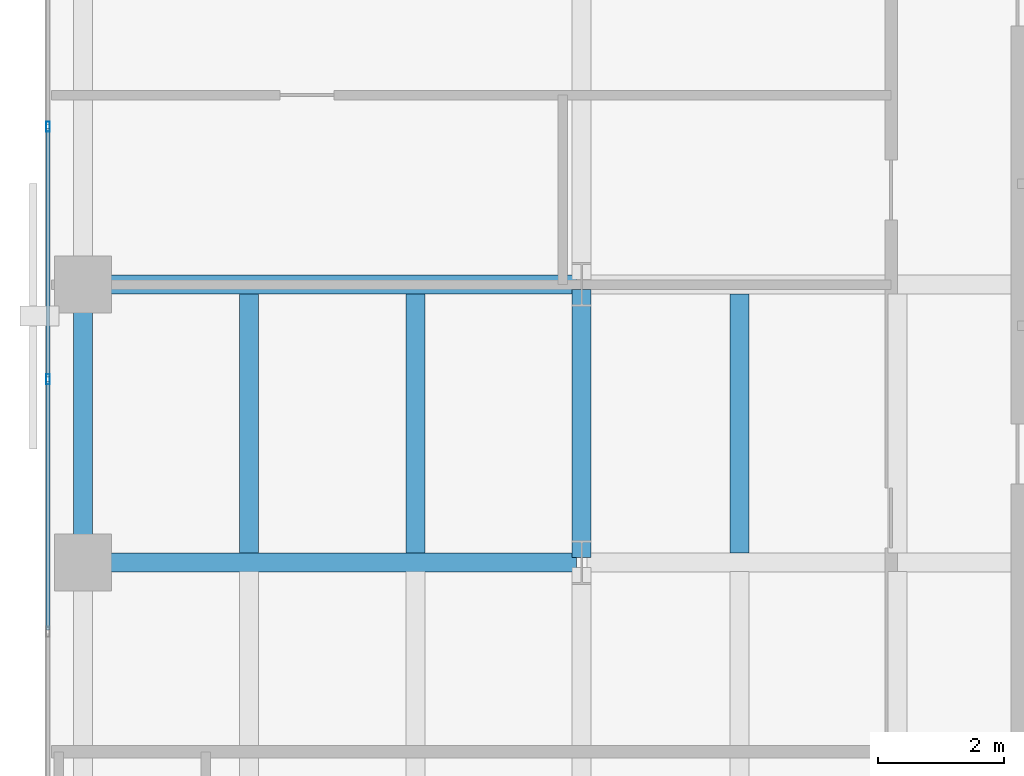
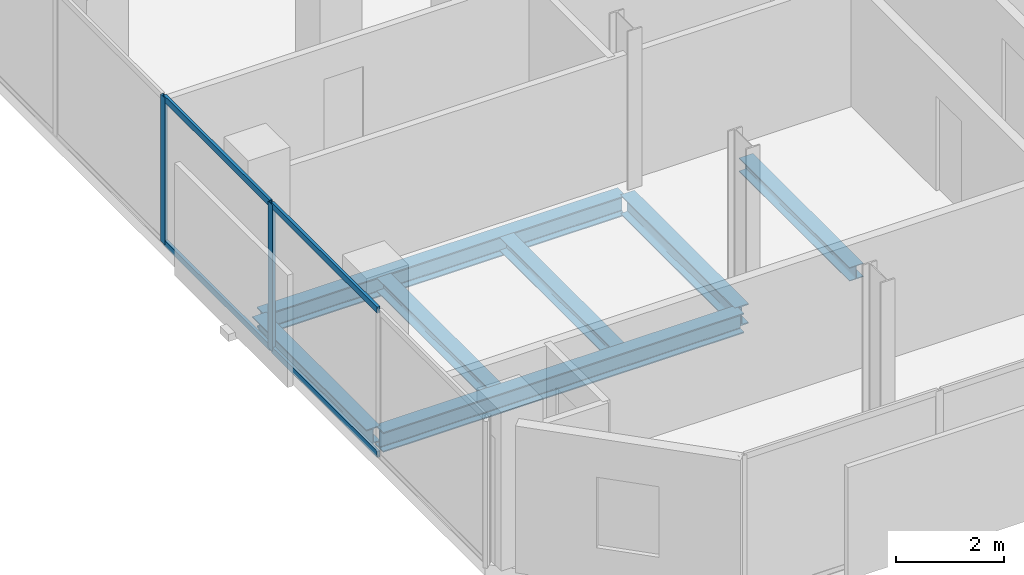
# One storey, part 5 of 33: 7 beams, 6 members, 1 element without a shape of its own.
"""IFC4 building model written with IfcOpenShell, lengths in metres."""

from ifc_helpers import new_model, si_unit, direction, frame, origin, origin_2d, place, context, subcontext, project, spatial, hollow_rectangle, i_section, extrude, material, layer, layer_set, material_profile, profile_set, type_object, element, aggregate, save


model = new_model("IFC4")

# Units and contexts
model_context = context("Model", 3, precision=1e-05, world=origin(), true_north=direction((0.0, 1.0)))
body_context = subcontext(model_context, "Body", "Model", "MODEL_VIEW")
ifc_project = project(units=[si_unit("LENGTHUNIT", "METRE"), si_unit("AREAUNIT", "SQUARE_METRE"), si_unit("VOLUMEUNIT", "CUBIC_METRE"), si_unit("PLANEANGLEUNIT", "RADIAN"), si_unit("MASSUNIT", "GRAM", prefix="KILO")], contexts=[model_context])

# Site, building, storey
site_placement = place(None, origin())
site = spatial("IfcSite", under=ifc_project, at=site_placement, CompositionType="ELEMENT")
building_placement = place(site_placement, origin())
building = spatial("IfcBuilding", under=site, at=building_placement, Name="Catumbela Crestline Tower", CompositionType="ELEMENT")
storey_placement = place(building_placement, frame((0.0, 0.0, 104.4)))
storey = spatial("IfcBuildingStorey", under=building, at=storey_placement, Name="L26", CompositionType="ELEMENT", Elevation=104.4)

# Beams
ifc_material_1 = material(Name="Structural steel S355J2", Category="steel")
ifc_material_profile_1 = material_profile(ifc_material_1, i_section(OverallWidth=0.3, OverallDepth=0.45, WebThickness=0.014, FlangeThickness=0.026, FilletRadius=0.027, at=origin_2d()), Name="HEB 450")
ifc_profile_set_1 = profile_set([ifc_material_profile_1], Name="Structural steel S355J2")
beam_type_1 = type_object("IfcBeamType", Name="BG-HEB450", PredefinedType="BEAM", material=ifc_profile_set_1)
for number, where, z_axis, x_axis, name in (
    (1, (0.68, 13.6, -0.485), (1.0, 0.0, 0.0), (0.0, 1.0, 0.0), "L26 Beam BM-L26-WEW46"),
    (2, (0.68, 18.0, -0.485), (1.0, 0.0, 0.0), (0.0, 1.0, 0.0), "L26 Beam BM-L26-WEW49"),
):
    element("IfcBeam", number, at=place(storey_placement, frame(where, z_axis=z_axis, x_axis=x_axis)), inside=storey, type_object=beam_type_1, Name=name, PredefinedType="BEAM", context=body_context, shape_type="SweptSolid", body=[
        extrude(i_section(OverallWidth=0.3, OverallDepth=0.45, WebThickness=0.014, FlangeThickness=0.026, FilletRadius=0.027, at=origin_2d()), origin(), (0.0, 0.0, 1.0), 7.74),
    ])
beam_1_placement = place(storey_placement, frame((8.5, 13.68, -0.485), z_axis=(0.0, 1.0, 0.0), x_axis=(-1.0, 0.0, 0.0)))
element("IfcBeam", 3, at=beam_1_placement, inside=storey, type_object=beam_type_1, Name="L26 Beam BM-L26-WNS56", PredefinedType="BEAM", context=body_context, shape_type="SweptSolid", body=[
    extrude(i_section(OverallWidth=0.3, OverallDepth=0.45, WebThickness=0.014, FlangeThickness=0.026, FilletRadius=0.027, at=origin_2d()), origin(), (0.0, 0.0, 1.0), 4.24),
])
ifc_material_profile_2 = material_profile(ifc_material_1, i_section(OverallWidth=0.3, OverallDepth=0.31, WebThickness=0.009, FlangeThickness=0.0155, FilletRadius=0.027, at=origin_2d()), Name="HEA 320")
ifc_profile_set_2 = profile_set([ifc_material_profile_2], Name="Structural steel S355J2")
beam_type_2 = type_object("IfcBeamType", Name="BJ-HEA320", PredefinedType="JOIST", material=ifc_profile_set_2)
for number, where, z_axis, x_axis, name in (
    (4, (3.233, 13.747, -0.415), (0.0, 1.0, 0.0), (-1.0, 0.0, 0.0), "L26 Joist JS-L26-WG69"),
    (5, (5.867, 13.747, -0.415), (0.0, 1.0, 0.0), (-1.0, 0.0, 0.0), "L26 Joist JS-L26-WG70"),
    (6, (11.0, 13.747, -0.415), (0.0, 1.0, 0.0), (-1.0, 0.0, 0.0), "L26 Joist JS-L26-WG71"),
):
    element("IfcBeam", number, at=place(storey_placement, frame(where, z_axis=z_axis, x_axis=x_axis)), inside=storey, type_object=beam_type_2, Name=name, PredefinedType="JOIST", context=body_context, shape_type="SweptSolid", body=[
        extrude(i_section(OverallWidth=0.3, OverallDepth=0.31, WebThickness=0.009, FlangeThickness=0.0155, FilletRadius=0.027, at=origin_2d()), origin(), (0.0, 0.0, 1.0), 4.106),
    ])

# Curtain wall, members
ifc_material_2 = material(Name="Aluminium alloy AW-6060-T66", Category="aluminium")
ifc_layer = layer(ifc_material_2, 0.18, Name="Aluminium alloy AW-6060-T66")
ifc_layer_set = layer_set([ifc_layer], Name="Aluminium alloy AW-6060-T66")
curtain_wall_type = type_object("IfcCurtainWallType", Name="CWU-Z2", PredefinedType="USERDEFINED", material=ifc_layer_set)
curtain_wall_placement = place(storey_placement, origin())
curtain_wall = element("IfcCurtainWall", 7, at=curtain_wall_placement, inside=storey, type_object=curtain_wall_type, Name="L26 Unitised Curtain Wall CW-L26-E9S1", ObjectType="UNITISED", PredefinedType="USERDEFINED")
ifc_material_profile_3 = material_profile(ifc_material_2, hollow_rectangle(XDim=0.06, YDim=0.16, WallThickness=0.004, at=origin_2d()), Name="ALU 160x60x4")
ifc_profile_set_3 = profile_set([ifc_material_profile_3], Name="Aluminium alloy AW-6060-T66")
member_type_1 = type_object("IfcMemberType", Name="MUL-160X60", PredefinedType="MULLION", material=ifc_profile_set_3)
member_1_placement = place(storey_placement, frame((0.05, 20.5, 0.0), z_axis=(0.0, 0.0, 1.0), x_axis=(1.0, 0.0, 0.0)))
member_1 = element("IfcMember", 8, at=member_1_placement, type_object=member_type_1, Name="CWU-Z2 mullion 7", PredefinedType="MULLION", context=body_context, shape_type="SweptSolid", body=[
    extrude(hollow_rectangle(XDim=0.06, YDim=0.16, WallThickness=0.004, at=origin_2d()), origin(), (0.0, 0.0, 1.0), 3.33),
])
member_2_placement = place(storey_placement, frame((0.05, 16.5, 0.0), z_axis=(0.0, 0.0, 1.0), x_axis=(1.0, 0.0, 0.0)))
member_2 = element("IfcMember", 9, at=member_2_placement, type_object=member_type_1, Name="CWU-Z2 mullion 8", PredefinedType="MULLION", context=body_context, shape_type="SweptSolid", body=[
    extrude(hollow_rectangle(XDim=0.06, YDim=0.16, WallThickness=0.004, at=origin_2d()), origin(), (0.0, 0.0, 1.0), 3.33),
])

# Beam
ifc_material_profile_4 = material_profile(ifc_material_1, i_section(OverallWidth=0.3, OverallDepth=0.36, WebThickness=0.0125, FlangeThickness=0.0225, FilletRadius=0.027, at=origin_2d()), Name="HEB 360")
ifc_profile_set_4 = profile_set([ifc_material_profile_4], Name="Structural steel S355J2")
beam_type_3 = type_object("IfcBeamType", Name="BS-HEB360", PredefinedType="SPANDREL", material=ifc_profile_set_4)
beam_2_placement = place(storey_placement, frame((0.6, 13.68, -0.44), z_axis=(0.0, 1.0, 0.0), x_axis=(-1.0, 0.0, 0.0)))
element("IfcBeam", 10, at=beam_2_placement, inside=storey, type_object=beam_type_3, Name="L26 Spandrel SP-L26-WNS53", PredefinedType="SPANDREL", context=body_context, shape_type="SweptSolid", body=[
    extrude(i_section(OverallWidth=0.3, OverallDepth=0.36, WebThickness=0.0125, FlangeThickness=0.0225, FilletRadius=0.027, at=origin_2d()), origin(), (0.0, 0.0, 1.0), 4.24),
])

# Member
ifc_material_profile_5 = material_profile(ifc_material_2, hollow_rectangle(XDim=0.06, YDim=0.14, WallThickness=0.004, at=origin_2d()), Name="ALU 140x60x4")
ifc_profile_set_5 = profile_set([ifc_material_profile_5], Name="Aluminium alloy AW-6060-T66")
member_type_2 = type_object("IfcMemberType", Name="TRN-140X60", PredefinedType="USERDEFINED", material=ifc_profile_set_5)
member_3_placement = place(storey_placement, frame((0.05, 20.4675, 0.03), z_axis=(0.0, -1.0, 0.0), x_axis=(1.0, 0.0, 0.0)))
member_3 = element("IfcMember", 11, at=member_3_placement, type_object=member_type_2, Name="CWU-Z2 transom 7.1", ObjectType="TRANSOM", PredefinedType="USERDEFINED", context=body_context, shape_type="SweptSolid", body=[
    extrude(hollow_rectangle(XDim=0.06, YDim=0.14, WallThickness=0.004, at=origin_2d()), origin(), (0.0, 0.0, 1.0), 3.935),
])

member_4_placement = place(storey_placement, frame((0.05, 20.4675, 3.3), z_axis=(0.0, -1.0, 0.0), x_axis=(1.0, 0.0, 0.0)))
member_4 = element("IfcMember", 12, at=member_4_placement, type_object=member_type_2, Name="CWU-Z2 transom 7.2", ObjectType="TRANSOM", PredefinedType="USERDEFINED", context=body_context, shape_type="SweptSolid", body=[
    extrude(hollow_rectangle(XDim=0.06, YDim=0.14, WallThickness=0.004, at=origin_2d()), origin(), (0.0, 0.0, 1.0), 3.935),
])

member_5_placement = place(storey_placement, frame((0.05, 16.4675, 0.03), z_axis=(0.0, -1.0, 0.0), x_axis=(1.0, 0.0, 0.0)))
member_5 = element("IfcMember", 13, at=member_5_placement, type_object=member_type_2, Name="CWU-Z2 transom 8.1", ObjectType="TRANSOM", PredefinedType="USERDEFINED", context=body_context, shape_type="SweptSolid", body=[
    extrude(hollow_rectangle(XDim=0.06, YDim=0.14, WallThickness=0.004, at=origin_2d()), origin(), (0.0, 0.0, 1.0), 3.935),
])

member_6_placement = place(storey_placement, frame((0.05, 16.4675, 3.3), z_axis=(0.0, -1.0, 0.0), x_axis=(1.0, 0.0, 0.0)))
member_6 = element("IfcMember", 14, at=member_6_placement, type_object=member_type_2, Name="CWU-Z2 transom 8.2", ObjectType="TRANSOM", PredefinedType="USERDEFINED", context=body_context, shape_type="SweptSolid", body=[
    extrude(hollow_rectangle(XDim=0.06, YDim=0.14, WallThickness=0.004, at=origin_2d()), origin(), (0.0, 0.0, 1.0), 3.935),
])

aggregate(curtain_wall, [member_1, member_2, member_3, member_4, member_5, member_6])

save(model, "model.ifc")
